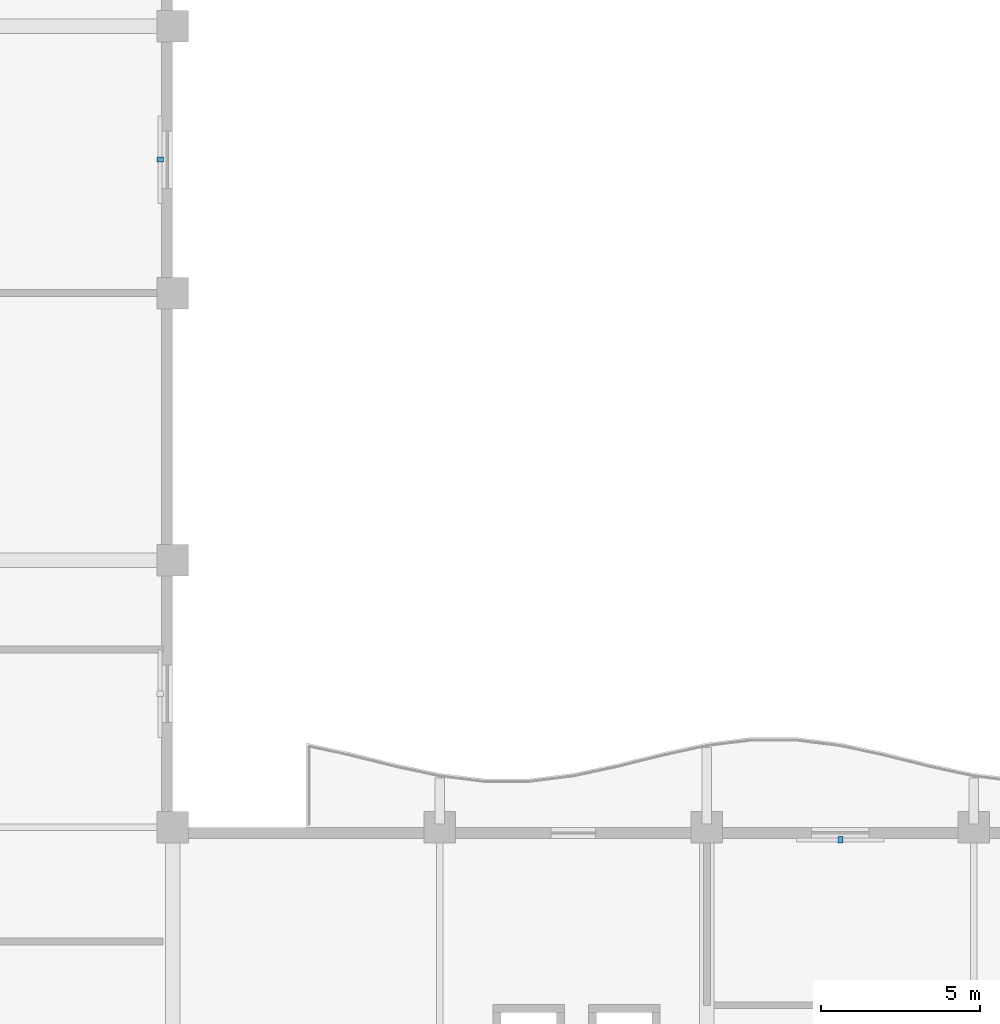
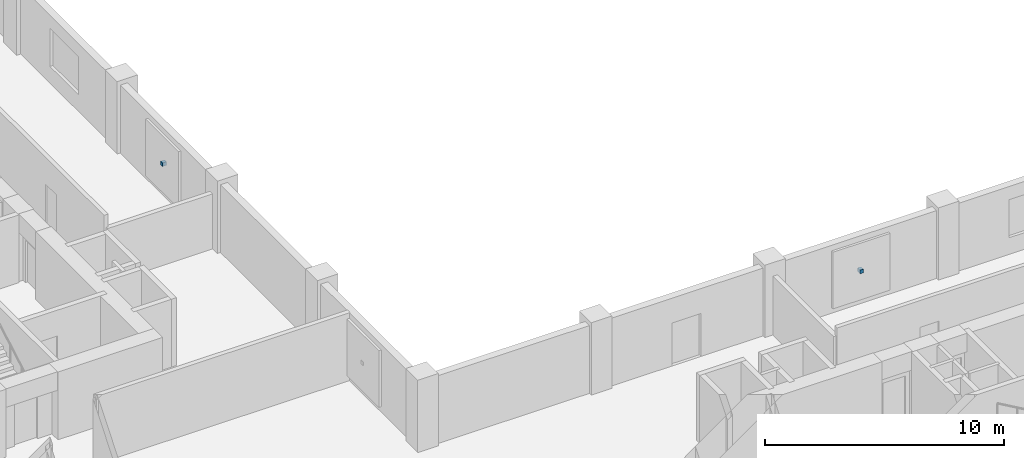
# One storey, part 12 of 16: 2 discrete accessories.
"""IFC4 building model written with IfcOpenShell, lengths in metres."""

from ifc_helpers import new_model, si_unit, direction, frame, origin, origin_2d, place, context, subcontext, project, spatial, rectangle, extrude, material, type_object, element, save


model = new_model("IFC4")

# Units and contexts
model_context = context("Model", 3, precision=1e-05, world=origin(), true_north=direction((0.0, 1.0)))
body_context = subcontext(model_context, "Body", "Model", "MODEL_VIEW")
ifc_project = project(units=[si_unit("LENGTHUNIT", "METRE"), si_unit("AREAUNIT", "SQUARE_METRE"), si_unit("VOLUMEUNIT", "CUBIC_METRE"), si_unit("PLANEANGLEUNIT", "RADIAN"), si_unit("MASSUNIT", "GRAM", prefix="KILO")], contexts=[model_context])

# Site, building, storey
site_placement = place(None, origin())
site = spatial("IfcSite", under=ifc_project, at=site_placement, CompositionType="ELEMENT")
building_placement = place(site_placement, origin())
building = spatial("IfcBuilding", under=site, at=building_placement, Name="Koriwani Terraces Tower", CompositionType="ELEMENT")
storey_placement = place(building_placement, frame((0.0, 0.0, 171.699951171875)))
storey = spatial("IfcBuildingStorey", under=building, at=storey_placement, Name="L41", CompositionType="ELEMENT", Elevation=171.699951171875)

# Discrete accessories
ifc_material = material(Name="Steel ASTM A572 Grade 50", Category="steel")
discrete_accessory_type = type_object("IfcDiscreteAccessoryType", Name="BAGUETTE_STANDOFF_BRACKET", PredefinedType="BRACKET", material=ifc_material)
for number, where, z_axis, x_axis, name in (
    (1, (33.2099609375, 54.60009765625, 1.64501953125), (0.0, 0.0, 1.0), (0.0, -1.0, 0.0), "L41 Terracotta Baguette Bracket (NW_IN-8)"),
    (2, (54.60009765625, 33.2099609375, 1.64501953125), (0.0, 0.0, 1.0), (1.0, 0.0, 0.0), "L41 Terracotta Baguette Bracket (NE-8)"),
):
    element("IfcDiscreteAccessory", number, at=place(storey_placement, frame(where, z_axis=z_axis, x_axis=x_axis)), inside=storey, type_object=discrete_accessory_type, Name=name, PredefinedType="BRACKET", context=body_context, shape_type="SweptSolid", body=[
        extrude(rectangle(XDim=0.159912109375, YDim=0.199951171875, at=origin_2d()), origin(), (0.0, 0.0, 1.0), 0.179931640625),
    ])

save(model, "model.ifc")
